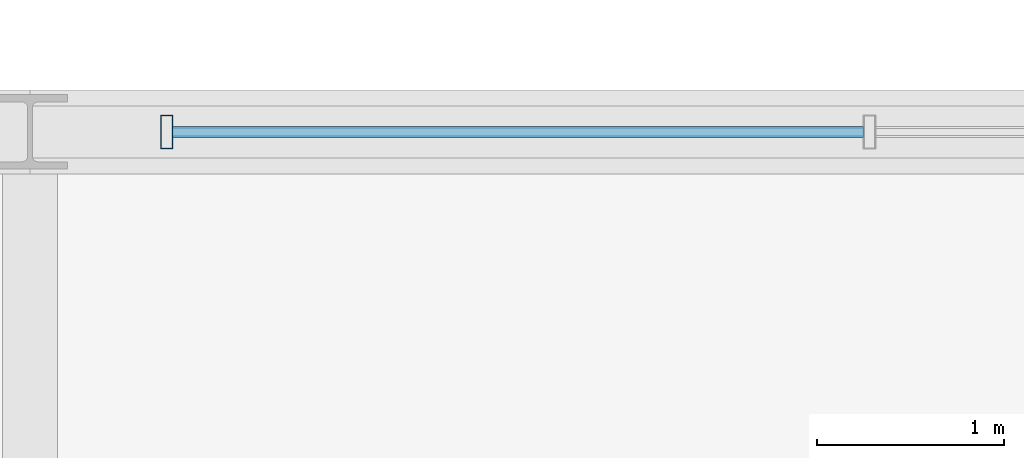
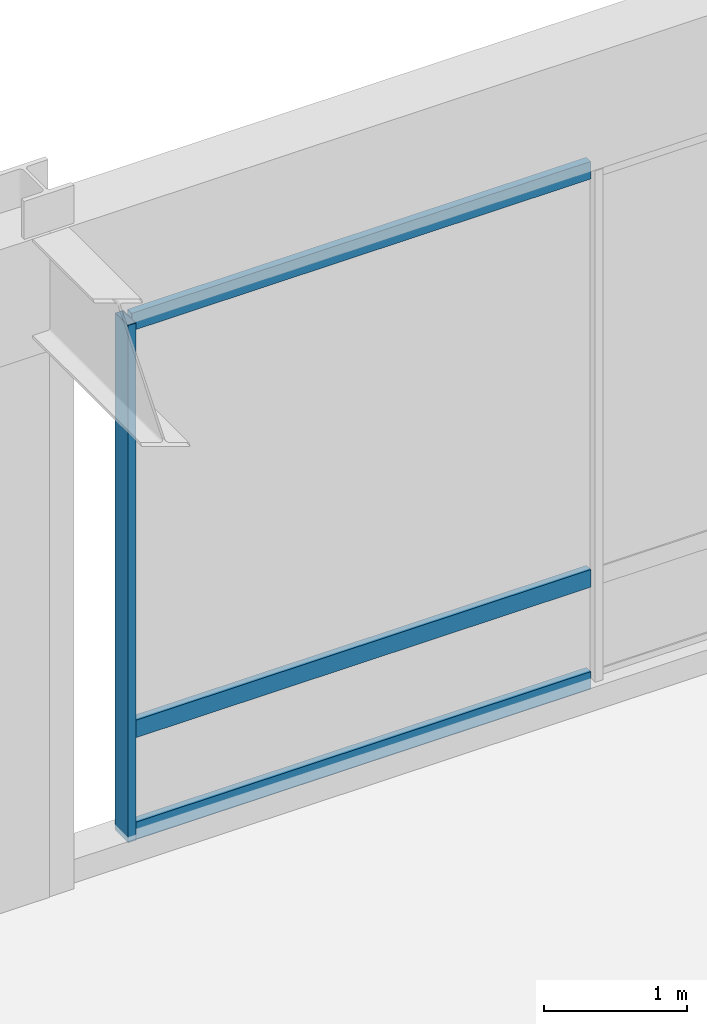
# One storey, part 66 of 105: 4 members, 1 element without a shape of its own.
"""IFC4 building model written with IfcOpenShell, lengths in metres."""

from ifc_helpers import new_model, si_unit, direction, frame, origin, origin_2d, place, context, subcontext, project, spatial, hollow_rectangle, extrude, material, material_profile, profile_set, type_object, element, aggregate, save


model = new_model("IFC4")

# Units and contexts
model_context = context("Model", 3, precision=1e-05, world=origin(), true_north=direction((0.0, 1.0)))
body_context = subcontext(model_context, "Body", "Model", "MODEL_VIEW")
ifc_project = project(units=[si_unit("LENGTHUNIT", "METRE"), si_unit("AREAUNIT", "SQUARE_METRE"), si_unit("VOLUMEUNIT", "CUBIC_METRE"), si_unit("PLANEANGLEUNIT", "RADIAN"), si_unit("MASSUNIT", "GRAM", prefix="KILO")], contexts=[model_context])

# Site, building, storey
site_placement = place(None, origin())
site = spatial("IfcSite", under=ifc_project, at=site_placement, CompositionType="ELEMENT")
building_placement = place(site_placement, origin())
building = spatial("IfcBuilding", under=site, at=building_placement, Name="Kaldorvane Square Convention Centre", CompositionType="ELEMENT")
storey_placement = place(building_placement, frame((0.0, 0.0, 6.0)))
storey = spatial("IfcBuildingStorey", under=building, at=storey_placement, Name="L01", CompositionType="ELEMENT", Elevation=6.0)

# Curtain wall, members
ifc_material = material(Name="Anodized Aluminum and Low-E Insulated Glazing", Category="aluminium")
curtain_wall_type = type_object("IfcCurtainWallType", Name="CW-UNI-P60-09", PredefinedType="USERDEFINED", material=ifc_material)
curtain_wall_placement = place(storey_placement, origin())
curtain_wall = element("IfcCurtainWall", 1, at=curtain_wall_placement, inside=storey, type_object=curtain_wall_type, Name="Curtain Wall CW-02 (L01)", ObjectType="UNITISED GLAZING", PredefinedType="USERDEFINED")
ifc_material_profile_1 = material_profile(ifc_material, hollow_rectangle(XDim=0.06500244140625, YDim=0.17999267578125, WallThickness=0.0034942626953125, at=origin_2d()), Name="CWM-180X65")
ifc_profile_set_1 = profile_set([ifc_material_profile_1], Name="Anodized Aluminum and Low-E Insulated Glazing")
member_type_1 = type_object("IfcMemberType", Name="CW-MUL-180", PredefinedType="MULLION", material=ifc_profile_set_1)
member_1_placement = place(storey_placement, frame((156.7324981689453, 117.0, 0.149993896484375), z_axis=(0.0, 0.0, 1.0), x_axis=(-1.0, 0.0, 0.0)))
member_1 = element("IfcMember", 2, at=member_1_placement, type_object=member_type_1, Name="CW-02 mullion 3", PredefinedType="MULLION", context=body_context, shape_type="SweptSolid", body=[
    extrude(hollow_rectangle(XDim=0.06500244140625, YDim=0.17999267578125, WallThickness=0.0034942626953125, at=origin_2d()), origin(), (0.0, 0.0, 1.0), 4.410003662109375),
])
ifc_material_profile_2 = material_profile(ifc_material, hollow_rectangle(XDim=0.05999755859375, YDim=0.149993896484375, WallThickness=0.003204345703125, at=origin_2d()), Name="CWT-150X60")
ifc_profile_set_2 = profile_set([ifc_material_profile_2], Name="Anodized Aluminum and Low-E Insulated Glazing")
member_type_2 = type_object("IfcMemberType", Name="CW-TRN-150", PredefinedType="USERDEFINED", material=ifc_profile_set_2)
member_2_placement = place(storey_placement, frame((160.46749877929688, 117.0, 0.17999267578125), z_axis=(-1.0, 0.0, 0.0), x_axis=(0.0, -1.0, 0.0)))
member_2 = element("IfcMember", 3, at=member_2_placement, type_object=member_type_2, Name="CW-02 transom 2.1", ObjectType="TRANSOM", PredefinedType="USERDEFINED", context=body_context, shape_type="SweptSolid", body=[
    extrude(hollow_rectangle(XDim=0.05999755859375, YDim=0.149993896484375, WallThickness=0.003204345703125, at=origin_2d()), origin(), (0.0, 0.0, 1.0), 3.7024993896484375),
])
member_3_placement = place(storey_placement, frame((160.46749877929688, 117.0, 1.0500030517578125), z_axis=(-1.0, 0.0, 0.0), x_axis=(0.0, -1.0, 0.0)))
member_3 = element("IfcMember", 4, at=member_3_placement, type_object=member_type_2, Name="CW-02 transom 2.2", ObjectType="TRANSOM", PredefinedType="USERDEFINED", context=body_context, shape_type="SweptSolid", body=[
    extrude(hollow_rectangle(XDim=0.05999755859375, YDim=0.149993896484375, WallThickness=0.003204345703125, at=origin_2d()), origin(), (0.0, 0.0, 1.0), 3.7024993896484375),
])
member_4_placement = place(storey_placement, frame((160.46749877929688, 117.0, 4.529998779296875), z_axis=(-1.0, 0.0, 0.0), x_axis=(0.0, -1.0, 0.0)))
member_4 = element("IfcMember", 5, at=member_4_placement, type_object=member_type_2, Name="CW-02 transom 2.3", ObjectType="TRANSOM", PredefinedType="USERDEFINED", context=body_context, shape_type="SweptSolid", body=[
    extrude(hollow_rectangle(XDim=0.05999755859375, YDim=0.149993896484375, WallThickness=0.003204345703125, at=origin_2d()), origin(), (0.0, 0.0, 1.0), 3.7024993896484375),
])
aggregate(curtain_wall, [member_1, member_2, member_3, member_4])

save(model, "model.ifc")
